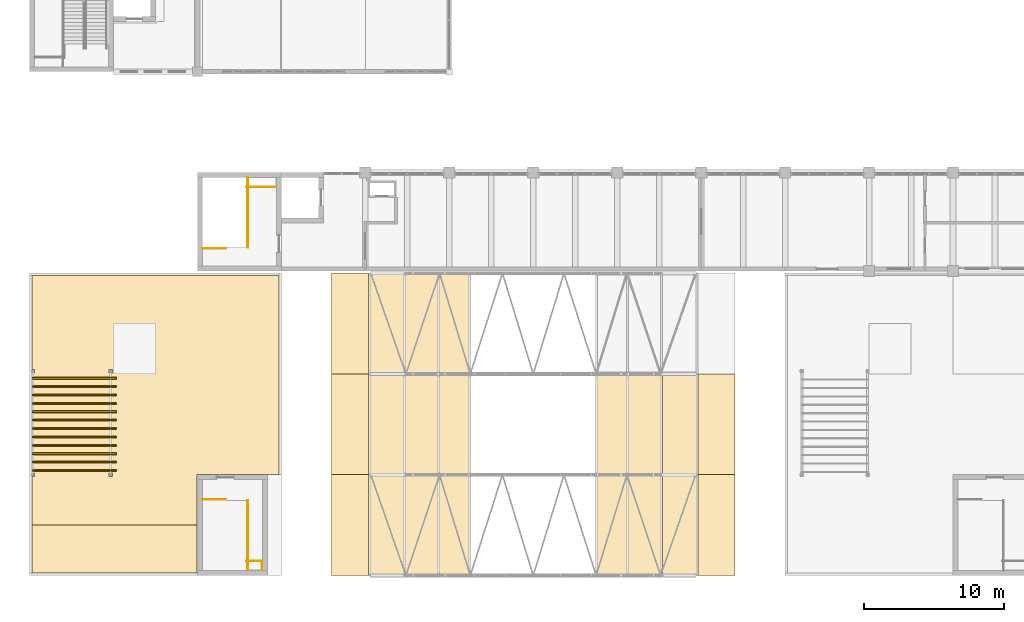
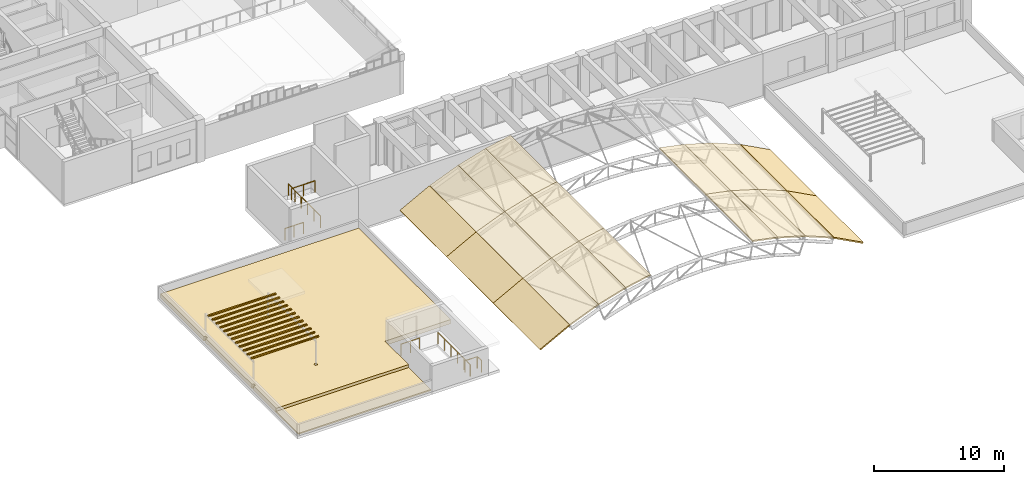
# One storey, part 82 of 92: 22 coverings, 12 shading devices, 7 railings.
"""IFC4 building model written with IfcOpenShell, lengths in metres."""

from ifc_helpers import new_model, si_unit, direction, frame, origin, origin_2d, place, context, subcontext, project, spatial, polyline, rectangle, circle, outline, extrude, material, layer, layer_set, type_object, element, save


model = new_model("IFC4")

# Units and contexts
model_context = context("Model", 3, precision=1e-05, world=origin(), true_north=direction((0.0, 1.0)))
body_context = subcontext(model_context, "Body", "Model", "MODEL_VIEW")
ifc_project = project(units=[si_unit("LENGTHUNIT", "METRE"), si_unit("AREAUNIT", "SQUARE_METRE"), si_unit("VOLUMEUNIT", "CUBIC_METRE"), si_unit("PLANEANGLEUNIT", "RADIAN"), si_unit("MASSUNIT", "GRAM", prefix="KILO")], contexts=[model_context])

# Site, building, storey
site_placement = place(None, origin())
site = spatial("IfcSite", under=ifc_project, at=site_placement, CompositionType="ELEMENT")
building_placement = place(site_placement, origin())
building = spatial("IfcBuilding", under=site, at=building_placement, Name="Laocheng Heights Fire and Rescue Headquarters", CompositionType="ELEMENT")
storey_placement = place(building_placement, frame((0.0, 0.0, 12.60009765625)))
storey = spatial("IfcBuildingStorey", under=building, at=storey_placement, Name="L03", CompositionType="ELEMENT", Elevation=12.60009765625)

# Coverings
ifc_material_1 = material(Name="Standing-seam aluminium roof panel on insulated profiled deck", Category="aluminium")
ifc_layer_1 = layer(ifc_material_1, 0.1201171875)
ifc_layer_set_1 = layer_set([ifc_layer_1], Name="Standing-seam aluminium roof panel on insulated profiled deck")
covering_type_1 = type_object("IfcCoveringType", Name="BAY ROOF COVERING 120", PredefinedType="ROOFING", material=ifc_layer_set_1)
covering_1_placement = place(storey_placement, frame((21.593994140625, 0.0, 0.63818359375), z_axis=(-0.470032816659, 0.0, 0.882648939989), x_axis=(0.882648939989, 0.0, 0.470032816659)))
element("IfcCovering", 1, at=covering_1_placement, inside=storey, type_object=covering_type_1, Name="Roof covering facet 03 bay 1", PredefinedType="ROOFING", context=body_context, shape_type="SweptSolid", body=[
    extrude(outline(polyline([(0.0, 0.0), (2.989215320882096, 0.0), (2.989215320882096, 7.199951171875), (0.0, 7.199951171875), (0.0, 0.0)])), origin(), (0.0, 0.0, -1.0), 0.1201171875),
])
covering_2_placement = place(storey_placement, frame((24.24462890625, 0.0, 2.048828125), z_axis=(-0.375561989396, 0.0, 0.926797276712), x_axis=(0.926797276712, 0.0, 0.375561989396)))
element("IfcCovering", 2, at=covering_2_placement, inside=storey, type_object=covering_type_1, Name="Roof covering facet 04 bay 1", PredefinedType="ROOFING", context=body_context, shape_type="SweptSolid", body=[
    extrude(outline(polyline([(0.0, 0.0), (2.7322334949924394, 0.0), (2.7322334949924394, 7.199951171875), (0.0, 7.199951171875), (0.0, 0.0)])), origin(), (0.0, 0.0, -1.0), 0.1201171875),
])
covering_3_placement = place(storey_placement, frame((26.788818359375, 0.0, 3.0791015625), z_axis=(-0.284984637187, 0.0, 0.958532084266), x_axis=(0.958532084266, 0.0, 0.284984637187)))
element("IfcCovering", 3, at=covering_3_placement, inside=storey, type_object=covering_type_1, Name="Roof covering facet 05 bay 1", PredefinedType="ROOFING", context=body_context, shape_type="SweptSolid", body=[
    extrude(outline(polyline([(0.0, 0.0), (2.5314892549823567, 0.0), (2.5314892549823567, 7.199951171875002), (0.0, 7.199951171875002), (0.0, 0.0)])), origin(), (0.0, 0.0, -1.0), 0.1201171875),
])
for number, where, z_axis, x_axis, name in (
    (4, (29.2265625, 0.0, 3.80322265625), (-0.200082776709, 0.0, 0.979778996746), (0.979778996746, 0.0, 0.200082776709), "Roof covering facet 06 bay 1"),
    (5, (40.559326171875, 0.0, 4.25537109375), (0.200082776709, 0.0, 0.979778996746), (0.979778996746, 0.0, -0.200082776709), "Roof covering facet 11 bay 1"),
):
    element("IfcCovering", number, at=place(storey_placement, frame(where, z_axis=z_axis, x_axis=x_axis)), inside=storey, type_object=covering_type_1, Name=name, PredefinedType="ROOFING", context=body_context, shape_type="SweptSolid", body=[
        extrude(outline(polyline([(0.0, 0.0), (2.2598068906136968, 0.0), (2.2598068906136968, 7.199951171875), (0.0, 7.199951171875), (0.0, 0.0)])), origin(), (0.0, 0.0, -1.0), 0.1201171875),
    ])
covering_4_placement = place(storey_placement, frame((42.78466796875, 0.0, 3.800537109375), z_axis=(0.284984637187, 0.0, 0.958532084266), x_axis=(0.958532084266, 0.0, -0.284984637187)))
element("IfcCovering", 6, at=covering_4_placement, inside=storey, type_object=covering_type_1, Name="Roof covering facet 12 bay 1", PredefinedType="ROOFING", context=body_context, shape_type="SweptSolid", body=[
    extrude(outline(polyline([(0.0, 0.0), (2.5314892549823567, 0.0), (2.5314892549823567, 7.199951171875002), (0.0, 7.199951171875002), (0.0, 0.0)])), origin(), (0.0, 0.0, -1.0), 0.1201171875),
])
covering_5_placement = place(storey_placement, frame((45.22314453125, 0.0, 3.074951171875), z_axis=(0.375561989396, 0.0, 0.926797276712), x_axis=(0.926797276712, 0.0, -0.375561989396)))
element("IfcCovering", 7, at=covering_5_placement, inside=storey, type_object=covering_type_1, Name="Roof covering facet 13 bay 1", PredefinedType="ROOFING", context=body_context, shape_type="SweptSolid", body=[
    extrude(outline(polyline([(0.0, 0.0), (2.7322334949924394, 0.0), (2.7322334949924394, 7.199951171875), (0.0, 7.199951171875), (0.0, 0.0)])), origin(), (0.0, 0.0, -1.0), 0.1201171875),
])
for number, where, z_axis, x_axis, name in (
    (8, (47.767578125, 0.0, 2.043212890625), (0.470032816659, 0.0, 0.882648939989), (0.882648939989, 0.0, -0.470032816659), "Roof covering facet 14 bay 1"),
    (9, (21.593994140625, 7.199951171875, 0.63818359375), (-0.470032816659, 0.0, 0.882648939989), (0.882648939989, 0.0, 0.470032816659), "Roof covering facet 03 bay 2"),
):
    element("IfcCovering", number, at=place(storey_placement, frame(where, z_axis=z_axis, x_axis=x_axis)), inside=storey, type_object=covering_type_1, Name=name, PredefinedType="ROOFING", context=body_context, shape_type="SweptSolid", body=[
        extrude(outline(polyline([(0.0, 0.0), (2.989215320882096, 0.0), (2.989215320882096, 7.199951171875), (0.0, 7.199951171875), (0.0, 0.0)])), origin(), (0.0, 0.0, -1.0), 0.1201171875),
    ])
covering_6_placement = place(storey_placement, frame((24.24462890625, 7.199951171875, 2.048828125), z_axis=(-0.375561989396, 0.0, 0.926797276712), x_axis=(0.926797276712, 0.0, 0.375561989396)))
element("IfcCovering", 10, at=covering_6_placement, inside=storey, type_object=covering_type_1, Name="Roof covering facet 04 bay 2", PredefinedType="ROOFING", context=body_context, shape_type="SweptSolid", body=[
    extrude(outline(polyline([(0.0, 0.0), (2.7322334949924394, 0.0), (2.7322334949924394, 7.199951171875), (0.0, 7.199951171875), (0.0, 0.0)])), origin(), (0.0, 0.0, -1.0), 0.1201171875),
])
covering_7_placement = place(storey_placement, frame((26.788818359375, 7.199951171875, 3.0791015625), z_axis=(-0.284984637187, 0.0, 0.958532084266), x_axis=(0.958532084266, 0.0, 0.284984637187)))
element("IfcCovering", 11, at=covering_7_placement, inside=storey, type_object=covering_type_1, Name="Roof covering facet 05 bay 2", PredefinedType="ROOFING", context=body_context, shape_type="SweptSolid", body=[
    extrude(outline(polyline([(0.0, 0.0), (2.5314892549823567, 0.0), (2.5314892549823567, 7.199951171875002), (0.0, 7.199951171875002), (0.0, 0.0)])), origin(), (0.0, 0.0, -1.0), 0.1201171875),
])
for number, where, z_axis, x_axis, name in (
    (12, (29.2265625, 7.199951171875, 3.80322265625), (-0.200082776709, 0.0, 0.979778996746), (0.979778996746, 0.0, 0.200082776709), "Roof covering facet 06 bay 2"),
    (13, (40.559326171875, 7.199951171875, 4.25537109375), (0.200082776709, 0.0, 0.979778996746), (0.979778996746, 0.0, -0.200082776709), "Roof covering facet 11 bay 2"),
):
    element("IfcCovering", number, at=place(storey_placement, frame(where, z_axis=z_axis, x_axis=x_axis)), inside=storey, type_object=covering_type_1, Name=name, PredefinedType="ROOFING", context=body_context, shape_type="SweptSolid", body=[
        extrude(outline(polyline([(0.0, 0.0), (2.2598068906136968, 0.0), (2.2598068906136968, 7.199951171875), (0.0, 7.199951171875), (0.0, 0.0)])), origin(), (0.0, 0.0, -1.0), 0.1201171875),
    ])
covering_8_placement = place(storey_placement, frame((42.78466796875, 7.199951171875, 3.800537109375), z_axis=(0.284984637187, 0.0, 0.958532084266), x_axis=(0.958532084266, 0.0, -0.284984637187)))
element("IfcCovering", 14, at=covering_8_placement, inside=storey, type_object=covering_type_1, Name="Roof covering facet 12 bay 2", PredefinedType="ROOFING", context=body_context, shape_type="SweptSolid", body=[
    extrude(outline(polyline([(0.0, 0.0), (2.5314892549823567, 0.0), (2.5314892549823567, 7.199951171875002), (0.0, 7.199951171875002), (0.0, 0.0)])), origin(), (0.0, 0.0, -1.0), 0.1201171875),
])
covering_9_placement = place(storey_placement, frame((45.22314453125, 7.199951171875, 3.074951171875), z_axis=(0.375561989396, 0.0, 0.926797276712), x_axis=(0.926797276712, 0.0, -0.375561989396)))
element("IfcCovering", 15, at=covering_9_placement, inside=storey, type_object=covering_type_1, Name="Roof covering facet 13 bay 2", PredefinedType="ROOFING", context=body_context, shape_type="SweptSolid", body=[
    extrude(outline(polyline([(0.0, 0.0), (2.7322334949924394, 0.0), (2.7322334949924394, 7.199951171875), (0.0, 7.199951171875), (0.0, 0.0)])), origin(), (0.0, 0.0, -1.0), 0.1201171875),
])
covering_10_placement = place(storey_placement, frame((47.767578125, 7.199951171875, 2.043212890625), z_axis=(0.470032816659, 0.0, 0.882648939989), x_axis=(0.882648939989, 0.0, -0.470032816659)))
element("IfcCovering", 16, at=covering_10_placement, inside=storey, type_object=covering_type_1, Name="Roof covering facet 14 bay 2", PredefinedType="ROOFING", context=body_context, shape_type="SweptSolid", body=[
    extrude(outline(polyline([(0.0, 0.0), (2.989215320882096, 0.0), (2.989215320882096, 7.199951171875), (0.0, 7.199951171875), (0.0, 0.0)])), origin(), (0.0, 0.0, -1.0), 0.1201171875),
])
covering_11_placement = place(storey_placement, frame((21.593994140625, 14.39990234375, 0.63818359375), z_axis=(-0.470032816659, 0.0, 0.882648939989), x_axis=(0.882648939989, 0.0, 0.470032816659)))
element("IfcCovering", 17, at=covering_11_placement, inside=storey, type_object=covering_type_1, Name="Roof covering facet 03 bay 3", PredefinedType="ROOFING", context=body_context, shape_type="SweptSolid", body=[
    extrude(outline(polyline([(0.0, 0.0), (2.989215320882096, 0.0), (2.989215320882096, 7.200195312500002), (0.0, 7.200195312500002), (0.0, 0.0)])), origin(), (0.0, 0.0, -1.0), 0.1201171875),
])
covering_12_placement = place(storey_placement, frame((24.24462890625, 14.39990234375, 2.048828125), z_axis=(-0.375561989396, 0.0, 0.926797276712), x_axis=(0.926797276712, 0.0, 0.375561989396)))
element("IfcCovering", 18, at=covering_12_placement, inside=storey, type_object=covering_type_1, Name="Roof covering facet 04 bay 3", PredefinedType="ROOFING", context=body_context, shape_type="SweptSolid", body=[
    extrude(outline(polyline([(0.0, 0.0), (2.7322334949924394, 0.0), (2.7322334949924394, 7.200195312500002), (0.0, 7.200195312500002), (0.0, 0.0)])), origin(), (0.0, 0.0, -1.0), 0.1201171875),
])
covering_13_placement = place(storey_placement, frame((26.788818359375, 14.39990234375, 3.0791015625), z_axis=(-0.284984637187, 0.0, 0.958532084266), x_axis=(0.958532084266, 0.0, 0.284984637187)))
element("IfcCovering", 19, at=covering_13_placement, inside=storey, type_object=covering_type_1, Name="Roof covering facet 05 bay 3", PredefinedType="ROOFING", context=body_context, shape_type="SweptSolid", body=[
    extrude(outline(polyline([(0.0, 0.0), (2.5314892549823567, 0.0), (2.5314892549823567, 7.200195312499999), (0.0, 7.200195312499999), (0.0, 0.0)])), origin(), (0.0, 0.0, -1.0), 0.1201171875),
])
covering_14_placement = place(storey_placement, frame((29.2265625, 14.39990234375, 3.80322265625), z_axis=(-0.200082776709, 0.0, 0.979778996746), x_axis=(0.979778996746, 0.0, 0.200082776709)))
element("IfcCovering", 20, at=covering_14_placement, inside=storey, type_object=covering_type_1, Name="Roof covering facet 06 bay 3", PredefinedType="ROOFING", context=body_context, shape_type="SweptSolid", body=[
    extrude(outline(polyline([(0.0, 0.0), (2.2598068906136968, 0.0), (2.2598068906136968, 7.2001953125), (0.0, 7.2001953125), (0.0, 0.0)])), origin(), (0.0, 0.0, -1.0), 0.1201171875),
])
ifc_material_2 = material(Name="Bituminous membrane roofing with gravel ballast")
ifc_layer_2 = layer(ifc_material_2, 0.1201171875)
ifc_layer_set_2 = layer_set([ifc_layer_2], Name="Bituminous membrane roofing with gravel ballast")
covering_type_2 = type_object("IfcCoveringType", Name="FLAT ROOF BUILD-UP 120", PredefinedType="ROOFING", material=ifc_layer_set_2)
covering_15_placement = place(storey_placement, origin())
element("IfcCovering", 21, at=covering_15_placement, inside=storey, type_object=covering_type_2, Name="Roof covering Flank W", PredefinedType="ROOFING", context=body_context, shape_type="SweptSolid", body=[
    extrude(outline(polyline([(11.97998046875, 0.179931640625), (11.97998046875, 3.60009765625), (0.179931640625, 3.60009765625), (0.179931640625, 0.179931640625), (11.97998046875, 0.179931640625)])), origin(), (0.0, 0.0, 1.0), 0.119873046875),
])
ifc_material_3 = material(Name="Green roof substrate planted with sedum, on drainage layer")
ifc_layer_3 = layer(ifc_material_3, 0.39990234375)
ifc_layer_set_3 = layer_set([ifc_layer_3], Name="Green roof substrate planted with sedum, on drainage layer")
covering_type_3 = type_object("IfcCoveringType", Name="GREEN ROOF BUILD-UP 400", PredefinedType="ROOFING", material=ifc_layer_set_3)
covering_16_placement = place(storey_placement, origin())
element("IfcCovering", 22, at=covering_16_placement, inside=storey, type_object=covering_type_3, Name="Green roof Flank W", PredefinedType="ROOFING", context=body_context, shape_type="SweptSolid", body=[
    extrude(outline(polyline([(0.179931640625, 7.080078125), (0.179931640625, 3.60009765625), (11.97998046875, 3.60009765625), (11.97998046875, 7.199951171875), (11.97998046875, 7.201904296875), (11.98046875, 7.203857421875), (11.98095703125, 7.205810546875), (11.9814453125, 7.207763671875), (11.982421875, 7.20947265625), (11.9833984375, 7.211181640625), (11.984619140625, 7.212646484375), (11.98583984375, 7.214111328125), (11.9873046875, 7.215576171875), (11.989013671875, 7.216552734375), (11.990478515625, 7.217529296875), (11.9921875, 7.218505859375), (11.994140625, 7.218994140625), (11.99609375, 7.219482421875), (11.998046875, 7.219970703125), (12.0, 7.219970703125), (17.820068359375, 7.219970703125), (17.820068359375, 21.419921875), (0.179931640625, 21.419921875), (0.179931640625, 14.719970703125), (0.360107421875, 14.719970703125), (0.360107421875, 14.47998046875), (0.179931640625, 14.47998046875), (0.179931640625, 7.320068359375), (0.360107421875, 7.320068359375), (0.360107421875, 7.080078125), (0.179931640625, 7.080078125)]), holes=[polyline([(5.679931640625, 7.080078125), (5.679931640625, 7.320068359375), (5.919921875, 7.320068359375), (5.919921875, 7.080078125), (5.679931640625, 7.080078125)]), polyline([(5.679931640625, 14.47998046875), (5.679931640625, 14.719970703125), (5.919921875, 14.719970703125), (5.919921875, 14.47998046875), (5.679931640625, 14.47998046875)])]), origin(), (0.0, 0.0, 1.0), 0.39990234375),
])

# Railings
ifc_material_4 = material(Name="Steel Q355B", Category="steel")
railing_type = type_object("IfcRailingType", Name="STAIR GUARD 1100", PredefinedType="GUARDRAIL", material=ifc_material_4)
railing_1_placement = place(storey_placement, frame((15.52490234375, 1.030029296875, 0.0)))
element("IfcRailing", 23, at=railing_1_placement, inside=storey, type_object=railing_type, Name="Stair W2 guard L03 tongue edge", PredefinedType="GUARDRAIL", context=body_context, shape_type="SweptSolid", body=[
    extrude(circle(Radius=0.02392578125, at=origin_2d()), frame((0.0, 0.0, 1.076171875), z_axis=(1.0, 0.0, 0.0), x_axis=(0.0, 1.0, 0.0)), (0.0, 0.0, 1.0), 1.0751953125),
    extrude(circle(Radius=0.02099609375, at=origin_2d()), origin(), (0.0, 0.0, 1.0), 1.052001953125),
    extrude(circle(Radius=0.02099609375, at=origin_2d()), frame((1.0751953125, 0.0, 0.0)), (0.0, 0.0, 1.0), 1.052001953125),
])
railing_2_placement = place(storey_placement, frame((16.6298828125, 1.0, 0.0)))
element("IfcRailing", 24, at=railing_2_placement, inside=storey, type_object=railing_type, Name="Stair W2 guard L03 tongue edge", PredefinedType="GUARDRAIL", context=body_context, shape_type="SweptSolid", body=[
    extrude(circle(Radius=0.02392578125, at=origin_2d()), frame((0.0, 0.0, 1.076171875), z_axis=(0.0, -1.0, 0.0), x_axis=(1.0, 0.0, 0.0)), (0.0, 0.0, 1.0), 0.60009765625),
    extrude(circle(Radius=0.02099609375, at=origin_2d()), origin(), (0.0, 0.0, 1.0), 1.052001953125),
    extrude(circle(Radius=0.02099609375, at=origin_2d()), frame((0.0, -0.60009765625, 0.0)), (0.0, 0.0, 1.0), 1.052001953125),
])
railing_3_placement = place(storey_placement, frame((15.60498046875, 0.3701171875, 0.0)))
element("IfcRailing", 25, at=railing_3_placement, inside=storey, type_object=railing_type, Name="Stair W2 guard L03 strip edge", PredefinedType="GUARDRAIL", context=body_context, shape_type="SweptSolid", body=[
    extrude(circle(Radius=0.02392578125, at=origin_2d()), frame((0.0, 0.0, 1.076171875), z_axis=(0.0, 1.0, 0.0), x_axis=(-1.0, 0.0, 0.0)), (0.0, 0.0, 1.0), 4.97998046875),
    extrude(circle(Radius=0.02099609375, at=origin_2d()), origin(), (0.0, 0.0, 1.0), 1.052001953125),
    extrude(circle(Radius=0.02099609375, at=origin_2d()), frame((0.0, 0.99609375, 0.0)), (0.0, 0.0, 1.0), 1.052001953125),
    extrude(circle(Radius=0.02099609375, at=origin_2d()), frame((0.0, 1.991943359375, 0.0)), (0.0, 0.0, 1.0), 1.052001953125),
    extrude(circle(Radius=0.02099609375, at=origin_2d()), frame((0.0, 2.988037109375, 0.0)), (0.0, 0.0, 1.0), 1.052001953125),
    extrude(circle(Radius=0.02099609375, at=origin_2d()), frame((0.0, 3.98388671875, 0.0)), (0.0, 0.0, 1.0), 1.052001953125),
    extrude(circle(Radius=0.02099609375, at=origin_2d()), frame((0.0, 4.97998046875, 0.0)), (0.0, 0.0, 1.0), 1.052001953125),
])
railing_4_placement = place(storey_placement, frame((12.3701171875, 5.429931640625, 0.0)))
element("IfcRailing", 26, at=railing_4_placement, inside=storey, type_object=railing_type, Name="Stair W2 guard L03 flight opening", PredefinedType="GUARDRAIL", context=body_context, shape_type="SweptSolid", body=[
    extrude(circle(Radius=0.02392578125, at=origin_2d()), frame((0.0, 0.0, 1.076171875), z_axis=(1.0, 0.0, 0.0), x_axis=(0.0, 1.0, 0.0)), (0.0, 0.0, 1.0), 1.65478515625),
    extrude(circle(Radius=0.02099609375, at=origin_2d()), origin(), (0.0, 0.0, 1.0), 1.052001953125),
    extrude(circle(Radius=0.02099609375, at=origin_2d()), frame((0.827392578125, 0.0, 0.0)), (0.0, 0.0, 1.0), 1.052001953125),
    extrude(circle(Radius=0.02099609375, at=origin_2d()), frame((1.65478515625, 0.0, 0.0)), (0.0, 0.0, 1.0), 1.052001953125),
])
railing_5_placement = place(storey_placement, frame((15.52490234375, 27.77001953125, 0.0)))
element("IfcRailing", 27, at=railing_5_placement, inside=storey, type_object=railing_type, Name="Stair G1 guard L03 tongue edge", PredefinedType="GUARDRAIL", context=body_context, shape_type="SweptSolid", body=[
    extrude(circle(Radius=0.02392578125, at=origin_2d()), frame((0.0, 0.0, 1.076171875), z_axis=(1.0, 0.0, 0.0), x_axis=(0.0, 1.0, 0.0)), (0.0, 0.0, 1.0), 2.0751953125),
    extrude(circle(Radius=0.02099609375, at=origin_2d()), origin(), (0.0, 0.0, 1.0), 1.052001953125),
    extrude(circle(Radius=0.02099609375, at=origin_2d()), frame((1.03759765625, 0.0, 0.0)), (0.0, 0.0, 1.0), 1.052001953125),
    extrude(circle(Radius=0.02099609375, at=origin_2d()), frame((2.0751953125, 0.0, 0.0)), (0.0, 0.0, 1.0), 1.052001953125),
])
railing_6_placement = place(storey_placement, frame((15.60498046875, 28.429931640625, 0.0)))
element("IfcRailing", 28, at=railing_6_placement, inside=storey, type_object=railing_type, Name="Stair G1 guard L03 strip edge", PredefinedType="GUARDRAIL", context=body_context, shape_type="SweptSolid", body=[
    extrude(circle(Radius=0.02392578125, at=origin_2d()), frame((0.0, 0.0, 1.076171875), z_axis=(0.0, -1.0, 0.0), x_axis=(1.0, 0.0, 0.0)), (0.0, 0.0, 1.0), 4.97998046875),
    extrude(circle(Radius=0.02099609375, at=origin_2d()), origin(), (0.0, 0.0, 1.0), 1.052001953125),
    extrude(circle(Radius=0.02099609375, at=origin_2d()), frame((0.0, -0.99609375, 0.0)), (0.0, 0.0, 1.0), 1.052001953125),
    extrude(circle(Radius=0.02099609375, at=origin_2d()), frame((0.0, -1.991943359375, 0.0)), (0.0, 0.0, 1.0), 1.052001953125),
    extrude(circle(Radius=0.02099609375, at=origin_2d()), frame((0.0, -2.988037109375, 0.0)), (0.0, 0.0, 1.0), 1.052001953125),
    extrude(circle(Radius=0.02099609375, at=origin_2d()), frame((0.0, -3.98388671875, 0.0)), (0.0, 0.0, 1.0), 1.052001953125),
    extrude(circle(Radius=0.02099609375, at=origin_2d()), frame((0.0, -4.97998046875, 0.0)), (0.0, 0.0, 1.0), 1.052001953125),
])
railing_7_placement = place(storey_placement, frame((12.3701171875, 23.3701171875, 0.0)))
element("IfcRailing", 29, at=railing_7_placement, inside=storey, type_object=railing_type, Name="Stair G1 guard L03 flight opening", PredefinedType="GUARDRAIL", context=body_context, shape_type="SweptSolid", body=[
    extrude(circle(Radius=0.02392578125, at=origin_2d()), frame((0.0, 0.0, 1.076171875), z_axis=(1.0, 0.0, 0.0), x_axis=(0.0, 1.0, 0.0)), (0.0, 0.0, 1.0), 1.65478515625),
    extrude(circle(Radius=0.02099609375, at=origin_2d()), origin(), (0.0, 0.0, 1.0), 1.052001953125),
    extrude(circle(Radius=0.02099609375, at=origin_2d()), frame((0.827392578125, 0.0, 0.0)), (0.0, 0.0, 1.0), 1.052001953125),
    extrude(circle(Radius=0.02099609375, at=origin_2d()), frame((1.65478515625, 0.0, 0.0)), (0.0, 0.0, 1.0), 1.052001953125),
])

# Shading devices
ifc_material_5 = material(Name="Steel Q355B, dark grey painted", Category="steel")
ifc_layer_4 = layer(ifc_material_5, 0.06005859375)
ifc_layer_set_4 = layer_set([ifc_layer_4], Name="Steel Q355B, dark grey painted")
shading_device_type = type_object("IfcShadingDeviceType", Name="STEEL PERGOLA BLADE 120 x 60", PredefinedType="JALOUSIE", material=ifc_layer_set_4)
for number, where, z_axis, x_axis, name in (
    (30, (3.199951171875, 7.5, 2.699951171875), (0.0, 0.0, 1.0), (1.0, 0.0, 0.0), "PERGOLA BLADE W FLANK"),
    (31, (3.199951171875, 8.10009765625, 2.699951171875), (0.0, 0.0, 1.0), (1.0, 0.0, 0.0), "PERGOLA BLADE W FLANK"),
    (32, (3.199951171875, 8.699951171875, 2.699951171875), (0.0, 0.0, 1.0), (1.0, 0.0, 0.0), "PERGOLA BLADE W FLANK"),
    (33, (3.199951171875, 9.300048828125, 2.699951171875), (0.0, 0.0, 1.0), (1.0, 0.0, 0.0), "PERGOLA BLADE W FLANK"),
    (34, (3.199951171875, 9.89990234375, 2.699951171875), (0.0, 0.0, 1.0), (1.0, 0.0, 0.0), "PERGOLA BLADE W FLANK"),
    (35, (3.199951171875, 10.5, 2.699951171875), (0.0, 0.0, 1.0), (1.0, 0.0, 0.0), "PERGOLA BLADE W FLANK"),
    (36, (3.199951171875, 11.10009765625, 2.699951171875), (0.0, 0.0, 1.0), (1.0, 0.0, 0.0), "PERGOLA BLADE W FLANK"),
    (37, (3.199951171875, 11.699951171875, 2.699951171875), (0.0, 0.0, 1.0), (1.0, 0.0, 0.0), "PERGOLA BLADE W FLANK"),
    (38, (3.199951171875, 12.300048828125, 2.699951171875), (0.0, 0.0, 1.0), (1.0, 0.0, 0.0), "PERGOLA BLADE W FLANK"),
    (39, (3.199951171875, 12.89990234375, 2.699951171875), (0.0, 0.0, 1.0), (1.0, 0.0, 0.0), "PERGOLA BLADE W FLANK"),
    (40, (3.199951171875, 13.5, 2.699951171875), (0.0, 0.0, 1.0), (1.0, 0.0, 0.0), "PERGOLA BLADE W FLANK"),
    (41, (3.199951171875, 14.10009765625, 2.699951171875), (0.0, 0.0, 1.0), (1.0, 0.0, 0.0), "PERGOLA BLADE W FLANK"),
):
    element("IfcShadingDevice", number, at=place(storey_placement, frame(where, z_axis=z_axis, x_axis=x_axis)), inside=storey, type_object=shading_device_type, Name=name, PredefinedType="JALOUSIE", context=body_context, shape_type="SweptSolid", body=[
        extrude(rectangle(XDim=6.0, YDim=0.1201171875, at=origin_2d()), origin(), (0.0, 0.0, 1.0), 0.06005859375),
    ])

save(model, "model.ifc")
